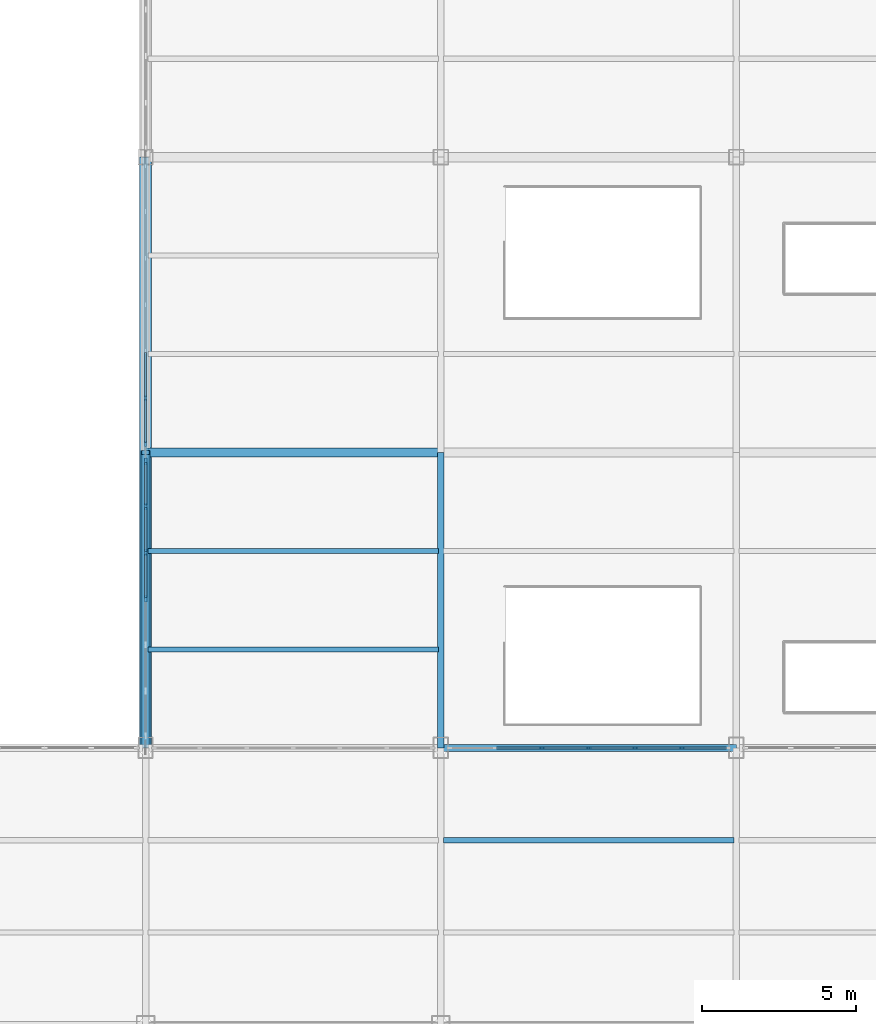
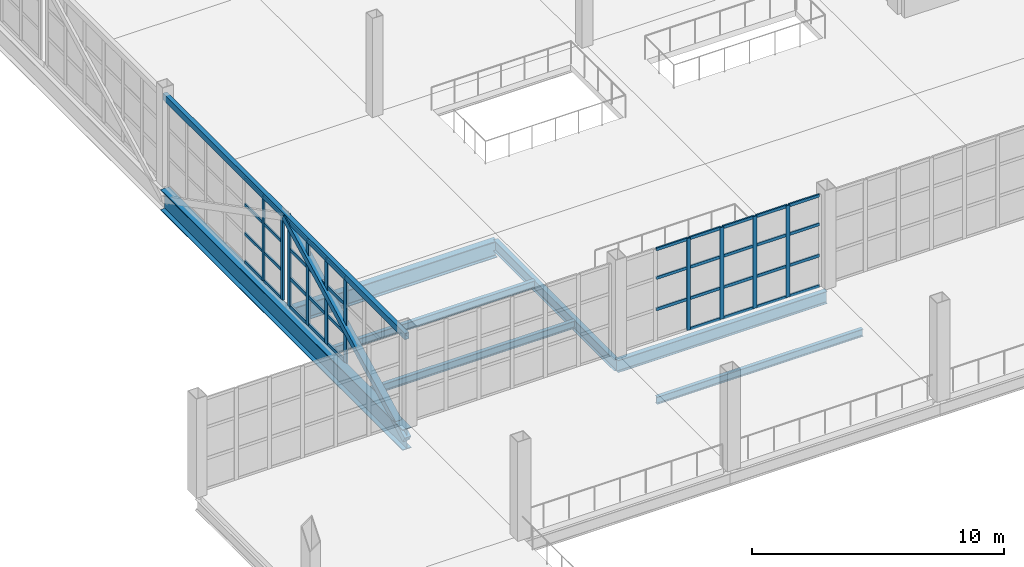
# One storey, part 43 of 120: 51 members, 7 beams, 3 elements without a shape of their own.
"""IFC4 building model written with IfcOpenShell, lengths in metres."""

from ifc_helpers import new_model, si_unit, direction, frame, origin, origin_2d, place, context, subcontext, project, spatial, rectangle, hollow_rectangle, i_section, extrude, material, layer, layer_set, material_profile, profile_set, type_object, element, aggregate, save


model = new_model("IFC4")

# Units and contexts
model_context = context("Model", 3, precision=1e-05, world=origin(), true_north=direction((0.0, 1.0)))
body_context = subcontext(model_context, "Body", "Model", "MODEL_VIEW")
ifc_project = project(units=[si_unit("LENGTHUNIT", "METRE"), si_unit("AREAUNIT", "SQUARE_METRE"), si_unit("VOLUMEUNIT", "CUBIC_METRE"), si_unit("PLANEANGLEUNIT", "RADIAN"), si_unit("MASSUNIT", "GRAM", prefix="KILO")], contexts=[model_context])

# Site, building, storey
site_placement = place(None, origin())
site = spatial("IfcSite", under=ifc_project, at=site_placement, CompositionType="ELEMENT")
building_placement = place(site_placement, origin())
building = spatial("IfcBuilding", under=site, at=building_placement, Name="Zarnetskaya Central Station", CompositionType="ELEMENT")
storey_placement = place(building_placement, frame((0.0, 0.0, 5.39990234375)))
storey = spatial("IfcBuildingStorey", under=building, at=storey_placement, Name="L01", CompositionType="ELEMENT", Elevation=5.39990234375)

# Beams
ifc_material_1 = material(Name="Steel S355", Category="steel")
ifc_material_profile_1 = material_profile(ifc_material_1, i_section(OverallWidth=0.169921875, OverallDepth=0.360107421875, WebThickness=0.008056640625, FlangeThickness=0.0126953125, FilletRadius=0.01806640625, at=origin_2d()), Name="IPE 360")
ifc_profile_set_1 = profile_set([ifc_material_profile_1], Name="Steel S355")
beam_type_1 = type_object("IfcBeamType", Name="BM-SEC-360", PredefinedType="BEAM", material=ifc_profile_set_1)
beam_1_placement = place(storey_placement, frame((76.8798828125, 64.199951171875, -0.4599609375), z_axis=(1.0, 0.0, 0.0), x_axis=(0.0, 1.0, 0.0)))
element("IfcBeam", 1, at=beam_1_placement, inside=storey, type_object=beam_type_1, Name="Secondary floor beam SEC-L01-Z512-JK-89-2", PredefinedType="BEAM", context=body_context, shape_type="SweptSolid", body=[
    extrude(i_section(OverallWidth=0.169921875, OverallDepth=0.360107421875, WebThickness=0.008056640625, FlangeThickness=0.0126953125, FilletRadius=0.01806640625, at=origin_2d()), origin(), (0.0, 0.0, 1.0), 9.440185546875),
])
for number, where, z_axis, x_axis, name in (
    (2, (67.280029296875, 70.39990234375, -0.4599609375), (1.0, 0.0, 0.0), (0.0, 1.0, 0.0), "Secondary floor beam SEC-L01-Z512-HJ-910-1"),
    (3, (67.280029296875, 73.60009765625, -0.4599609375), (1.0, 0.0, 0.0), (0.0, 1.0, 0.0), "Secondary floor beam SEC-L01-Z512-HJ-910-2"),
):
    element("IfcBeam", number, at=place(storey_placement, frame(where, z_axis=z_axis, x_axis=x_axis)), inside=storey, type_object=beam_type_1, Name=name, PredefinedType="BEAM", context=body_context, shape_type="SweptSolid", body=[
        extrude(i_section(OverallWidth=0.169921875, OverallDepth=0.360107421875, WebThickness=0.008056640625, FlangeThickness=0.0126953125, FilletRadius=0.01806640625, at=origin_2d()), origin(), (0.0, 0.0, 1.0), 9.43994140625),
    ])

# Curtain wall, members
ifc_material_2 = material(Name="Low-E insulated glass", Category="glass")
ifc_layer_1 = layer(ifc_material_2, 0.16796875, Name="Low-E insulated glass", Category="glass")
ifc_layer_set_1 = layer_set([ifc_layer_1], Name="Low-E insulated glass")
curtain_wall_type_1 = type_object("IfcCurtainWallType", Name="CW-SYS-13", PredefinedType="USERDEFINED", material=ifc_layer_set_1)
curtain_wall_1_placement = place(storey_placement, origin())
curtain_wall_1 = element("IfcCurtainWall", 4, at=curtain_wall_1_placement, inside=storey, type_object=curtain_wall_type_1, Name="Curtain wall CW-L01-079", ObjectType="CURTAIN WALL", PredefinedType="USERDEFINED")
ifc_material_3 = material(Name="Anodised aluminium", Category="aluminium")
ifc_material_profile_2 = material_profile(ifc_material_3, rectangle(XDim=0.070068359375, YDim=0.179931640625, at=origin_2d()), Name="ALU MULL 70x180")
ifc_profile_set_2 = profile_set([ifc_material_profile_2], Name="Anodised aluminium")
member_type_1 = type_object("IfcMemberType", Name="CW-MULL-180", PredefinedType="MULLION", material=ifc_profile_set_2)
member_1_placement = place(storey_placement, frame((80.083251953125, 67.199951171875, 0.0), z_axis=(0.0, 0.0, 1.0), x_axis=(0.0, 1.0, 0.0)))
member_1 = element("IfcMember", 5, at=member_1_placement, type_object=member_type_1, Name="CW-04 mullion 3", PredefinedType="MULLION", context=body_context, shape_type="SweptSolid", body=[
    extrude(rectangle(XDim=0.070068359375, YDim=0.179931640625, at=origin_2d()), origin(), (0.0, 0.0, 1.0), 4.4501953125),
])
member_2_placement = place(storey_placement, frame((81.60009765625, 67.199951171875, 0.0), z_axis=(0.0, 0.0, 1.0), x_axis=(0.0, 1.0, 0.0)))
member_2 = element("IfcMember", 6, at=member_2_placement, type_object=member_type_1, Name="CW-04 mullion 4", PredefinedType="MULLION", context=body_context, shape_type="SweptSolid", body=[
    extrude(rectangle(XDim=0.070068359375, YDim=0.179931640625, at=origin_2d()), origin(), (0.0, 0.0, 1.0), 4.4501953125),
])
member_3_placement = place(storey_placement, frame((83.11669921875, 67.199951171875, 0.0), z_axis=(0.0, 0.0, 1.0), x_axis=(0.0, 1.0, 0.0)))
member_3 = element("IfcMember", 7, at=member_3_placement, type_object=member_type_1, Name="CW-04 mullion 5", PredefinedType="MULLION", context=body_context, shape_type="SweptSolid", body=[
    extrude(rectangle(XDim=0.070068359375, YDim=0.179931640625, at=origin_2d()), origin(), (0.0, 0.0, 1.0), 4.4501953125),
])
member_4_placement = place(storey_placement, frame((84.63330078125, 67.199951171875, 0.0), z_axis=(0.0, 0.0, 1.0), x_axis=(0.0, 1.0, 0.0)))
member_4 = element("IfcMember", 8, at=member_4_placement, type_object=member_type_1, Name="CW-04 mullion 6", PredefinedType="MULLION", context=body_context, shape_type="SweptSolid", body=[
    extrude(rectangle(XDim=0.070068359375, YDim=0.179931640625, at=origin_2d()), origin(), (0.0, 0.0, 1.0), 4.4501953125),
])

ifc_layer_2 = layer(ifc_material_2, 0.172119140625, Name="Low-E insulated glass", Category="glass")
ifc_layer_set_2 = layer_set([ifc_layer_2], Name="Low-E insulated glass")
curtain_wall_type_2 = type_object("IfcCurtainWallType", Name="CW-SYS-09", PredefinedType="USERDEFINED", material=ifc_layer_set_2)
curtain_wall_2_placement = place(storey_placement, origin())
curtain_wall_2 = element("IfcCurtainWall", 9, at=curtain_wall_2_placement, inside=storey, type_object=curtain_wall_type_2, Name="Curtain wall CW-L01-147", ObjectType="CURTAIN WALL", PredefinedType="USERDEFINED")
member_5_placement = place(storey_placement, frame((67.199951171875, 77.0849609375, 0.0), z_axis=(0.0, 0.0, 1.0), x_axis=(-1.0, 0.0, 0.0)))
member_5 = element("IfcMember", 10, at=member_5_placement, type_object=member_type_1, Name="CW-07 mullion 1", PredefinedType="MULLION", context=body_context, shape_type="SweptSolid", body=[
    extrude(rectangle(XDim=0.070068359375, YDim=0.179931640625, at=origin_2d()), origin(), (0.0, 0.0, 1.0), 4.10009765625),
])
member_6_placement = place(storey_placement, frame((67.199951171875, 78.566650390625, 0.0), z_axis=(0.0, 0.0, 1.0), x_axis=(-1.0, 0.0, 0.0)))
member_6 = element("IfcMember", 11, at=member_6_placement, type_object=member_type_1, Name="CW-07 mullion 2", PredefinedType="MULLION", context=body_context, shape_type="SweptSolid", body=[
    extrude(rectangle(XDim=0.070068359375, YDim=0.179931640625, at=origin_2d()), origin(), (0.0, 0.0, 1.0), 4.10009765625),
])

curtain_wall_3_placement = place(storey_placement, origin())
curtain_wall_3 = element("IfcCurtainWall", 12, at=curtain_wall_3_placement, inside=storey, type_object=curtain_wall_type_2, Name="Curtain wall CW-L01-146", ObjectType="CURTAIN WALL", PredefinedType="USERDEFINED")
ifc_material_profile_3 = material_profile(ifc_material_3, rectangle(XDim=0.080078125, YDim=0.219970703125, at=origin_2d()), Name="ALU MULL 80x220")
ifc_profile_set_3 = profile_set([ifc_material_profile_3], Name="Anodised aluminium")
member_type_2 = type_object("IfcMemberType", Name="CW-MULL-220", PredefinedType="MULLION", material=ifc_profile_set_3)
member_7_placement = place(storey_placement, frame((67.199951171875, 72.050048828125, 0.0), z_axis=(0.0, 0.0, 1.0), x_axis=(-1.0, 0.0, 0.0)))
member_7 = element("IfcMember", 13, at=member_7_placement, type_object=member_type_2, Name="CW-07 mullion 4", PredefinedType="MULLION", context=body_context, shape_type="SweptSolid", body=[
    extrude(rectangle(XDim=0.080078125, YDim=0.219970703125, at=origin_2d()), origin(), (0.0, 0.0, 1.0), 4.10009765625),
])
member_8_placement = place(storey_placement, frame((67.199951171875, 73.550048828125, 0.0), z_axis=(0.0, 0.0, 1.0), x_axis=(-1.0, 0.0, 0.0)))
member_8 = element("IfcMember", 14, at=member_8_placement, type_object=member_type_2, Name="CW-07 mullion 5", PredefinedType="MULLION", context=body_context, shape_type="SweptSolid", body=[
    extrude(rectangle(XDim=0.080078125, YDim=0.219970703125, at=origin_2d()), origin(), (0.0, 0.0, 1.0), 4.10009765625),
])
member_9_placement = place(storey_placement, frame((67.199951171875, 75.050048828125, 0.0), z_axis=(0.0, 0.0, 1.0), x_axis=(-1.0, 0.0, 0.0)))
member_9 = element("IfcMember", 15, at=member_9_placement, type_object=member_type_2, Name="CW-07 mullion 6", PredefinedType="MULLION", context=body_context, shape_type="SweptSolid", body=[
    extrude(rectangle(XDim=0.080078125, YDim=0.219970703125, at=origin_2d()), origin(), (0.0, 0.0, 1.0), 4.10009765625),
])
member_10_placement = place(storey_placement, frame((67.199951171875, 76.510009765625, 0.0), z_axis=(0.0, 0.0, 1.0), x_axis=(-1.0, 0.0, 0.0)))
member_10 = element("IfcMember", 16, at=member_10_placement, type_object=member_type_2, Name="CW-07 mullion 7", PredefinedType="MULLION", context=body_context, shape_type="SweptSolid", body=[
    extrude(rectangle(XDim=0.080078125, YDim=0.219970703125, at=origin_2d()), origin(), (0.0, 0.0, 1.0), 4.10009765625),
])

# Member
ifc_material_profile_4 = material_profile(ifc_material_3, rectangle(XDim=0.070068359375, YDim=0.139892578125, at=origin_2d()), Name="ALU TRAN 70x140")
ifc_profile_set_4 = profile_set([ifc_material_profile_4], Name="Anodised aluminium")
member_type_3 = type_object("IfcMemberType", Name="CW-TRAN-140", PredefinedType="USERDEFINED", material=ifc_profile_set_4)
member_11_placement = place(storey_placement, frame((78.6015625, 67.199951171875, 1.51318359375), z_axis=(1.0, 0.0, 0.0), x_axis=(0.0, 1.0, 0.0)))
member_11 = element("IfcMember", 17, at=member_11_placement, type_object=member_type_3, Name="CW-04 transom 2.2", ObjectType="TRANSOM", PredefinedType="USERDEFINED", context=body_context, shape_type="SweptSolid", body=[
    extrude(rectangle(XDim=0.070068359375, YDim=0.139892578125, at=origin_2d()), origin(), (0.0, 0.0, 1.0), 1.44677734375),
])

member_12_placement = place(storey_placement, frame((78.6015625, 67.199951171875, 3.026123046875), z_axis=(1.0, 0.0, 0.0), x_axis=(0.0, 1.0, 0.0)))
member_12 = element("IfcMember", 18, at=member_12_placement, type_object=member_type_3, Name="CW-04 transom 2.3", ObjectType="TRANSOM", PredefinedType="USERDEFINED", context=body_context, shape_type="SweptSolid", body=[
    extrude(rectangle(XDim=0.070068359375, YDim=0.139892578125, at=origin_2d()), origin(), (0.0, 0.0, 1.0), 1.44677734375),
])

member_13_placement = place(storey_placement, frame((78.6015625, 67.199951171875, 4.4150390625), z_axis=(1.0, 0.0, 0.0), x_axis=(0.0, 1.0, 0.0)))
member_13 = element("IfcMember", 19, at=member_13_placement, type_object=member_type_3, Name="CW-04 transom 2.4", ObjectType="TRANSOM", PredefinedType="USERDEFINED", context=body_context, shape_type="SweptSolid", body=[
    extrude(rectangle(XDim=0.070068359375, YDim=0.139892578125, at=origin_2d()), origin(), (0.0, 0.0, 1.0), 1.44677734375),
])

member_14_placement = place(storey_placement, frame((80.118408203125, 67.199951171875, 0.03515625), z_axis=(1.0, 0.0, 0.0), x_axis=(0.0, 1.0, 0.0)))
member_14 = element("IfcMember", 20, at=member_14_placement, type_object=member_type_3, Name="CW-04 transom 3.1", ObjectType="TRANSOM", PredefinedType="USERDEFINED", context=body_context, shape_type="SweptSolid", body=[
    extrude(rectangle(XDim=0.070068359375, YDim=0.139892578125, at=origin_2d()), origin(), (0.0, 0.0, 1.0), 1.446533203125),
])

member_15_placement = place(storey_placement, frame((80.118408203125, 67.199951171875, 1.51318359375), z_axis=(1.0, 0.0, 0.0), x_axis=(0.0, 1.0, 0.0)))
member_15 = element("IfcMember", 21, at=member_15_placement, type_object=member_type_3, Name="CW-04 transom 3.2", ObjectType="TRANSOM", PredefinedType="USERDEFINED", context=body_context, shape_type="SweptSolid", body=[
    extrude(rectangle(XDim=0.070068359375, YDim=0.139892578125, at=origin_2d()), origin(), (0.0, 0.0, 1.0), 1.446533203125),
])

member_16_placement = place(storey_placement, frame((80.118408203125, 67.199951171875, 3.026123046875), z_axis=(1.0, 0.0, 0.0), x_axis=(0.0, 1.0, 0.0)))
member_16 = element("IfcMember", 22, at=member_16_placement, type_object=member_type_3, Name="CW-04 transom 3.3", ObjectType="TRANSOM", PredefinedType="USERDEFINED", context=body_context, shape_type="SweptSolid", body=[
    extrude(rectangle(XDim=0.070068359375, YDim=0.139892578125, at=origin_2d()), origin(), (0.0, 0.0, 1.0), 1.446533203125),
])

member_17_placement = place(storey_placement, frame((80.118408203125, 67.199951171875, 4.4150390625), z_axis=(1.0, 0.0, 0.0), x_axis=(0.0, 1.0, 0.0)))
member_17 = element("IfcMember", 23, at=member_17_placement, type_object=member_type_3, Name="CW-04 transom 3.4", ObjectType="TRANSOM", PredefinedType="USERDEFINED", context=body_context, shape_type="SweptSolid", body=[
    extrude(rectangle(XDim=0.070068359375, YDim=0.139892578125, at=origin_2d()), origin(), (0.0, 0.0, 1.0), 1.446533203125),
])

member_18_placement = place(storey_placement, frame((81.635009765625, 67.199951171875, 0.03515625), z_axis=(1.0, 0.0, 0.0), x_axis=(0.0, 1.0, 0.0)))
member_18 = element("IfcMember", 24, at=member_18_placement, type_object=member_type_3, Name="CW-04 transom 4.1", ObjectType="TRANSOM", PredefinedType="USERDEFINED", context=body_context, shape_type="SweptSolid", body=[
    extrude(rectangle(XDim=0.070068359375, YDim=0.139892578125, at=origin_2d()), origin(), (0.0, 0.0, 1.0), 1.44677734375),
])

member_19_placement = place(storey_placement, frame((81.635009765625, 67.199951171875, 1.51318359375), z_axis=(1.0, 0.0, 0.0), x_axis=(0.0, 1.0, 0.0)))
member_19 = element("IfcMember", 25, at=member_19_placement, type_object=member_type_3, Name="CW-04 transom 4.2", ObjectType="TRANSOM", PredefinedType="USERDEFINED", context=body_context, shape_type="SweptSolid", body=[
    extrude(rectangle(XDim=0.070068359375, YDim=0.139892578125, at=origin_2d()), origin(), (0.0, 0.0, 1.0), 1.44677734375),
])

member_20_placement = place(storey_placement, frame((81.635009765625, 67.199951171875, 3.026123046875), z_axis=(1.0, 0.0, 0.0), x_axis=(0.0, 1.0, 0.0)))
member_20 = element("IfcMember", 26, at=member_20_placement, type_object=member_type_3, Name="CW-04 transom 4.3", ObjectType="TRANSOM", PredefinedType="USERDEFINED", context=body_context, shape_type="SweptSolid", body=[
    extrude(rectangle(XDim=0.070068359375, YDim=0.139892578125, at=origin_2d()), origin(), (0.0, 0.0, 1.0), 1.44677734375),
])

member_21_placement = place(storey_placement, frame((81.635009765625, 67.199951171875, 4.4150390625), z_axis=(1.0, 0.0, 0.0), x_axis=(0.0, 1.0, 0.0)))
member_21 = element("IfcMember", 27, at=member_21_placement, type_object=member_type_3, Name="CW-04 transom 4.4", ObjectType="TRANSOM", PredefinedType="USERDEFINED", context=body_context, shape_type="SweptSolid", body=[
    extrude(rectangle(XDim=0.070068359375, YDim=0.139892578125, at=origin_2d()), origin(), (0.0, 0.0, 1.0), 1.44677734375),
])

member_22_placement = place(storey_placement, frame((83.151611328125, 67.199951171875, 0.03515625), z_axis=(1.0, 0.0, 0.0), x_axis=(0.0, 1.0, 0.0)))
member_22 = element("IfcMember", 28, at=member_22_placement, type_object=member_type_3, Name="CW-04 transom 5.1", ObjectType="TRANSOM", PredefinedType="USERDEFINED", context=body_context, shape_type="SweptSolid", body=[
    extrude(rectangle(XDim=0.070068359375, YDim=0.139892578125, at=origin_2d()), origin(), (0.0, 0.0, 1.0), 1.44677734375),
])

member_23_placement = place(storey_placement, frame((83.151611328125, 67.199951171875, 1.51318359375), z_axis=(1.0, 0.0, 0.0), x_axis=(0.0, 1.0, 0.0)))
member_23 = element("IfcMember", 29, at=member_23_placement, type_object=member_type_3, Name="CW-04 transom 5.2", ObjectType="TRANSOM", PredefinedType="USERDEFINED", context=body_context, shape_type="SweptSolid", body=[
    extrude(rectangle(XDim=0.070068359375, YDim=0.139892578125, at=origin_2d()), origin(), (0.0, 0.0, 1.0), 1.44677734375),
])

member_24_placement = place(storey_placement, frame((83.151611328125, 67.199951171875, 3.026123046875), z_axis=(1.0, 0.0, 0.0), x_axis=(0.0, 1.0, 0.0)))
member_24 = element("IfcMember", 30, at=member_24_placement, type_object=member_type_3, Name="CW-04 transom 5.3", ObjectType="TRANSOM", PredefinedType="USERDEFINED", context=body_context, shape_type="SweptSolid", body=[
    extrude(rectangle(XDim=0.070068359375, YDim=0.139892578125, at=origin_2d()), origin(), (0.0, 0.0, 1.0), 1.44677734375),
])

member_25_placement = place(storey_placement, frame((83.151611328125, 67.199951171875, 4.4150390625), z_axis=(1.0, 0.0, 0.0), x_axis=(0.0, 1.0, 0.0)))
member_25 = element("IfcMember", 31, at=member_25_placement, type_object=member_type_3, Name="CW-04 transom 5.4", ObjectType="TRANSOM", PredefinedType="USERDEFINED", context=body_context, shape_type="SweptSolid", body=[
    extrude(rectangle(XDim=0.070068359375, YDim=0.139892578125, at=origin_2d()), origin(), (0.0, 0.0, 1.0), 1.44677734375),
])

member_26_placement = place(storey_placement, frame((84.668212890625, 67.199951171875, 0.03515625), z_axis=(1.0, 0.0, 0.0), x_axis=(0.0, 1.0, 0.0)))
member_26 = element("IfcMember", 32, at=member_26_placement, type_object=member_type_3, Name="CW-04 transom 6.1", ObjectType="TRANSOM", PredefinedType="USERDEFINED", context=body_context, shape_type="SweptSolid", body=[
    extrude(rectangle(XDim=0.070068359375, YDim=0.139892578125, at=origin_2d()), origin(), (0.0, 0.0, 1.0), 1.411865234375),
])

member_27_placement = place(storey_placement, frame((84.668212890625, 67.199951171875, 1.51318359375), z_axis=(1.0, 0.0, 0.0), x_axis=(0.0, 1.0, 0.0)))
member_27 = element("IfcMember", 33, at=member_27_placement, type_object=member_type_3, Name="CW-04 transom 6.2", ObjectType="TRANSOM", PredefinedType="USERDEFINED", context=body_context, shape_type="SweptSolid", body=[
    extrude(rectangle(XDim=0.070068359375, YDim=0.139892578125, at=origin_2d()), origin(), (0.0, 0.0, 1.0), 1.411865234375),
])

member_28_placement = place(storey_placement, frame((84.668212890625, 67.199951171875, 3.026123046875), z_axis=(1.0, 0.0, 0.0), x_axis=(0.0, 1.0, 0.0)))
member_28 = element("IfcMember", 34, at=member_28_placement, type_object=member_type_3, Name="CW-04 transom 6.3", ObjectType="TRANSOM", PredefinedType="USERDEFINED", context=body_context, shape_type="SweptSolid", body=[
    extrude(rectangle(XDim=0.070068359375, YDim=0.139892578125, at=origin_2d()), origin(), (0.0, 0.0, 1.0), 1.411865234375),
])

member_29_placement = place(storey_placement, frame((84.668212890625, 67.199951171875, 4.4150390625), z_axis=(1.0, 0.0, 0.0), x_axis=(0.0, 1.0, 0.0)))
member_29 = element("IfcMember", 35, at=member_29_placement, type_object=member_type_3, Name="CW-04 transom 6.4", ObjectType="TRANSOM", PredefinedType="USERDEFINED", context=body_context, shape_type="SweptSolid", body=[
    extrude(rectangle(XDim=0.070068359375, YDim=0.139892578125, at=origin_2d()), origin(), (0.0, 0.0, 1.0), 1.411865234375),
])

aggregate(curtain_wall_1, [member_1, member_2, member_3, member_4, member_11, member_12, member_13, member_14, member_15, member_16, member_17, member_18, member_19, member_20, member_21, member_22, member_23, member_24, member_25, member_26, member_27, member_28, member_29])

member_30_placement = place(storey_placement, frame((67.199951171875, 77.1201171875, 0.03515625), z_axis=(0.0, 1.0, 0.0), x_axis=(-1.0, 0.0, 0.0)))
member_30 = element("IfcMember", 36, at=member_30_placement, type_object=member_type_3, Name="CW-07 transom 1.1", ObjectType="TRANSOM", PredefinedType="USERDEFINED", context=body_context, shape_type="SweptSolid", body=[
    extrude(rectangle(XDim=0.070068359375, YDim=0.139892578125, at=origin_2d()), origin(), (0.0, 0.0, 1.0), 1.41162109375),
])

member_31_placement = place(storey_placement, frame((67.199951171875, 77.1201171875, 1.39404296875), z_axis=(0.0, 1.0, 0.0), x_axis=(-1.0, 0.0, 0.0)))
member_31 = element("IfcMember", 37, at=member_31_placement, type_object=member_type_3, Name="CW-07 transom 1.2", ObjectType="TRANSOM", PredefinedType="USERDEFINED", context=body_context, shape_type="SweptSolid", body=[
    extrude(rectangle(XDim=0.070068359375, YDim=0.139892578125, at=origin_2d()), origin(), (0.0, 0.0, 1.0), 1.41162109375),
])

member_32_placement = place(storey_placement, frame((67.199951171875, 77.1201171875, 2.7880859375), z_axis=(0.0, 1.0, 0.0), x_axis=(-1.0, 0.0, 0.0)))
member_32 = element("IfcMember", 38, at=member_32_placement, type_object=member_type_3, Name="CW-07 transom 1.3", ObjectType="TRANSOM", PredefinedType="USERDEFINED", context=body_context, shape_type="SweptSolid", body=[
    extrude(rectangle(XDim=0.070068359375, YDim=0.139892578125, at=origin_2d()), origin(), (0.0, 0.0, 1.0), 1.41162109375),
])

member_33_placement = place(storey_placement, frame((67.199951171875, 77.1201171875, 4.065185546875), z_axis=(0.0, 1.0, 0.0), x_axis=(-1.0, 0.0, 0.0)))
member_33 = element("IfcMember", 39, at=member_33_placement, type_object=member_type_3, Name="CW-07 transom 1.4", ObjectType="TRANSOM", PredefinedType="USERDEFINED", context=body_context, shape_type="SweptSolid", body=[
    extrude(rectangle(XDim=0.070068359375, YDim=0.139892578125, at=origin_2d()), origin(), (0.0, 0.0, 1.0), 1.41162109375),
])

member_34_placement = place(storey_placement, frame((67.199951171875, 78.6015625, 0.03515625), z_axis=(0.0, 1.0, 0.0), x_axis=(-1.0, 0.0, 0.0)))
member_34 = element("IfcMember", 40, at=member_34_placement, type_object=member_type_3, Name="CW-07 transom 2.1", ObjectType="TRANSOM", PredefinedType="USERDEFINED", context=body_context, shape_type="SweptSolid", body=[
    extrude(rectangle(XDim=0.070068359375, YDim=0.139892578125, at=origin_2d()), origin(), (0.0, 0.0, 1.0), 1.44677734375),
])

member_35_placement = place(storey_placement, frame((67.199951171875, 78.6015625, 1.39404296875), z_axis=(0.0, 1.0, 0.0), x_axis=(-1.0, 0.0, 0.0)))
member_35 = element("IfcMember", 41, at=member_35_placement, type_object=member_type_3, Name="CW-07 transom 2.2", ObjectType="TRANSOM", PredefinedType="USERDEFINED", context=body_context, shape_type="SweptSolid", body=[
    extrude(rectangle(XDim=0.070068359375, YDim=0.139892578125, at=origin_2d()), origin(), (0.0, 0.0, 1.0), 1.44677734375),
])

member_36_placement = place(storey_placement, frame((67.199951171875, 78.6015625, 2.7880859375), z_axis=(0.0, 1.0, 0.0), x_axis=(-1.0, 0.0, 0.0)))
member_36 = element("IfcMember", 42, at=member_36_placement, type_object=member_type_3, Name="CW-07 transom 2.3", ObjectType="TRANSOM", PredefinedType="USERDEFINED", context=body_context, shape_type="SweptSolid", body=[
    extrude(rectangle(XDim=0.070068359375, YDim=0.139892578125, at=origin_2d()), origin(), (0.0, 0.0, 1.0), 1.44677734375),
])

member_37_placement = place(storey_placement, frame((67.199951171875, 78.6015625, 4.065185546875), z_axis=(0.0, 1.0, 0.0), x_axis=(-1.0, 0.0, 0.0)))
member_37 = element("IfcMember", 43, at=member_37_placement, type_object=member_type_3, Name="CW-07 transom 2.4", ObjectType="TRANSOM", PredefinedType="USERDEFINED", context=body_context, shape_type="SweptSolid", body=[
    extrude(rectangle(XDim=0.070068359375, YDim=0.139892578125, at=origin_2d()), origin(), (0.0, 0.0, 1.0), 1.44677734375),
])

aggregate(curtain_wall_2, [member_5, member_6, member_30, member_31, member_32, member_33, member_34, member_35, member_36, member_37])

ifc_material_profile_5 = material_profile(ifc_material_3, rectangle(XDim=0.080078125, YDim=0.159912109375, at=origin_2d()), Name="ALU TRAN 80x160")
ifc_profile_set_5 = profile_set([ifc_material_profile_5], Name="Anodised aluminium")
member_type_4 = type_object("IfcMemberType", Name="CW-TRAN-160", PredefinedType="USERDEFINED", material=ifc_profile_set_5)
member_38_placement = place(storey_placement, frame((67.199951171875, 72.090087890625, 0.0400390625), z_axis=(0.0, 1.0, 0.0), x_axis=(-1.0, 0.0, 0.0)))
member_38 = element("IfcMember", 44, at=member_38_placement, type_object=member_type_4, Name="CW-07 transom 4.1", ObjectType="TRANSOM", PredefinedType="USERDEFINED", context=body_context, shape_type="SweptSolid", body=[
    extrude(rectangle(XDim=0.080078125, YDim=0.159912109375, at=origin_2d()), origin(), (0.0, 0.0, 1.0), 1.419921875),
])

member_39_placement = place(storey_placement, frame((67.199951171875, 72.090087890625, 1.39404296875), z_axis=(0.0, 1.0, 0.0), x_axis=(-1.0, 0.0, 0.0)))
member_39 = element("IfcMember", 45, at=member_39_placement, type_object=member_type_4, Name="CW-07 transom 4.2", ObjectType="TRANSOM", PredefinedType="USERDEFINED", context=body_context, shape_type="SweptSolid", body=[
    extrude(rectangle(XDim=0.080078125, YDim=0.159912109375, at=origin_2d()), origin(), (0.0, 0.0, 1.0), 1.419921875),
])

member_40_placement = place(storey_placement, frame((67.199951171875, 72.090087890625, 2.7880859375), z_axis=(0.0, 1.0, 0.0), x_axis=(-1.0, 0.0, 0.0)))
member_40 = element("IfcMember", 46, at=member_40_placement, type_object=member_type_4, Name="CW-07 transom 4.3", ObjectType="TRANSOM", PredefinedType="USERDEFINED", context=body_context, shape_type="SweptSolid", body=[
    extrude(rectangle(XDim=0.080078125, YDim=0.159912109375, at=origin_2d()), origin(), (0.0, 0.0, 1.0), 1.419921875),
])

member_41_placement = place(storey_placement, frame((67.199951171875, 72.090087890625, 4.06005859375), z_axis=(0.0, 1.0, 0.0), x_axis=(-1.0, 0.0, 0.0)))
member_41 = element("IfcMember", 47, at=member_41_placement, type_object=member_type_4, Name="CW-07 transom 4.4", ObjectType="TRANSOM", PredefinedType="USERDEFINED", context=body_context, shape_type="SweptSolid", body=[
    extrude(rectangle(XDim=0.080078125, YDim=0.159912109375, at=origin_2d()), origin(), (0.0, 0.0, 1.0), 1.419921875),
])

member_42_placement = place(storey_placement, frame((67.199951171875, 73.590087890625, 0.0400390625), z_axis=(0.0, 1.0, 0.0), x_axis=(-1.0, 0.0, 0.0)))
member_42 = element("IfcMember", 48, at=member_42_placement, type_object=member_type_4, Name="CW-07 transom 5.1", ObjectType="TRANSOM", PredefinedType="USERDEFINED", context=body_context, shape_type="SweptSolid", body=[
    extrude(rectangle(XDim=0.080078125, YDim=0.159912109375, at=origin_2d()), origin(), (0.0, 0.0, 1.0), 1.419921875),
])

member_43_placement = place(storey_placement, frame((67.199951171875, 73.590087890625, 1.39404296875), z_axis=(0.0, 1.0, 0.0), x_axis=(-1.0, 0.0, 0.0)))
member_43 = element("IfcMember", 49, at=member_43_placement, type_object=member_type_4, Name="CW-07 transom 5.2", ObjectType="TRANSOM", PredefinedType="USERDEFINED", context=body_context, shape_type="SweptSolid", body=[
    extrude(rectangle(XDim=0.080078125, YDim=0.159912109375, at=origin_2d()), origin(), (0.0, 0.0, 1.0), 1.419921875),
])

member_44_placement = place(storey_placement, frame((67.199951171875, 73.590087890625, 2.7880859375), z_axis=(0.0, 1.0, 0.0), x_axis=(-1.0, 0.0, 0.0)))
member_44 = element("IfcMember", 50, at=member_44_placement, type_object=member_type_4, Name="CW-07 transom 5.3", ObjectType="TRANSOM", PredefinedType="USERDEFINED", context=body_context, shape_type="SweptSolid", body=[
    extrude(rectangle(XDim=0.080078125, YDim=0.159912109375, at=origin_2d()), origin(), (0.0, 0.0, 1.0), 1.419921875),
])

member_45_placement = place(storey_placement, frame((67.199951171875, 73.590087890625, 4.06005859375), z_axis=(0.0, 1.0, 0.0), x_axis=(-1.0, 0.0, 0.0)))
member_45 = element("IfcMember", 51, at=member_45_placement, type_object=member_type_4, Name="CW-07 transom 5.4", ObjectType="TRANSOM", PredefinedType="USERDEFINED", context=body_context, shape_type="SweptSolid", body=[
    extrude(rectangle(XDim=0.080078125, YDim=0.159912109375, at=origin_2d()), origin(), (0.0, 0.0, 1.0), 1.419921875),
])

member_46_placement = place(storey_placement, frame((67.199951171875, 75.090087890625, 0.0400390625), z_axis=(0.0, 1.0, 0.0), x_axis=(-1.0, 0.0, 0.0)))
member_46 = element("IfcMember", 52, at=member_46_placement, type_object=member_type_4, Name="CW-07 transom 6.1", ObjectType="TRANSOM", PredefinedType="USERDEFINED", context=body_context, shape_type="SweptSolid", body=[
    extrude(rectangle(XDim=0.080078125, YDim=0.159912109375, at=origin_2d()), origin(), (0.0, 0.0, 1.0), 1.3798828125),
])

member_47_placement = place(storey_placement, frame((67.199951171875, 75.090087890625, 1.39404296875), z_axis=(0.0, 1.0, 0.0), x_axis=(-1.0, 0.0, 0.0)))
member_47 = element("IfcMember", 53, at=member_47_placement, type_object=member_type_4, Name="CW-07 transom 6.2", ObjectType="TRANSOM", PredefinedType="USERDEFINED", context=body_context, shape_type="SweptSolid", body=[
    extrude(rectangle(XDim=0.080078125, YDim=0.159912109375, at=origin_2d()), origin(), (0.0, 0.0, 1.0), 1.3798828125),
])

member_48_placement = place(storey_placement, frame((67.199951171875, 75.090087890625, 2.7880859375), z_axis=(0.0, 1.0, 0.0), x_axis=(-1.0, 0.0, 0.0)))
member_48 = element("IfcMember", 54, at=member_48_placement, type_object=member_type_4, Name="CW-07 transom 6.3", ObjectType="TRANSOM", PredefinedType="USERDEFINED", context=body_context, shape_type="SweptSolid", body=[
    extrude(rectangle(XDim=0.080078125, YDim=0.159912109375, at=origin_2d()), origin(), (0.0, 0.0, 1.0), 1.3798828125),
])

member_49_placement = place(storey_placement, frame((67.199951171875, 75.090087890625, 4.06005859375), z_axis=(0.0, 1.0, 0.0), x_axis=(-1.0, 0.0, 0.0)))
member_49 = element("IfcMember", 55, at=member_49_placement, type_object=member_type_4, Name="CW-07 transom 6.4", ObjectType="TRANSOM", PredefinedType="USERDEFINED", context=body_context, shape_type="SweptSolid", body=[
    extrude(rectangle(XDim=0.080078125, YDim=0.159912109375, at=origin_2d()), origin(), (0.0, 0.0, 1.0), 1.3798828125),
])

aggregate(curtain_wall_3, [member_7, member_8, member_9, member_10, member_38, member_39, member_40, member_41, member_42, member_43, member_44, member_45, member_46, member_47, member_48, member_49])

# Beams
ifc_material_profile_6 = material_profile(ifc_material_1, i_section(OverallWidth=0.300048828125, OverallDepth=0.800048828125, WebThickness=0.017578125, FlangeThickness=0.032958984375, FilletRadius=0.030029296875, at=origin_2d()), Name="HEB 800")
ifc_profile_set_6 = profile_set([ifc_material_profile_6], Name="Steel S355")
beam_type_2 = type_object("IfcBeamType", Name="GD-BRG-800", PredefinedType="USERDEFINED", material=ifc_profile_set_6)
beam_2_placement = place(storey_placement, frame((67.199951171875, 76.800048828125, -0.679931640625), z_axis=(1.0, 0.0, 0.0), x_axis=(0.0, 1.0, 0.0)))
element("IfcBeam", 56, at=beam_2_placement, inside=storey, type_object=beam_type_2, Name="Grid girder GX-L01-10-HJ", ObjectType="GIRDER", PredefinedType="USERDEFINED", context=body_context, shape_type="SweptSolid", body=[
    extrude(i_section(OverallWidth=0.300048828125, OverallDepth=0.800048828125, WebThickness=0.017578125, FlangeThickness=0.032958984375, FilletRadius=0.030029296875, at=origin_2d()), origin(), (0.0, 0.0, 1.0), 9.60009765625),
])
ifc_material_profile_7 = material_profile(ifc_material_1, i_section(OverallWidth=0.2099609375, OverallDepth=0.550048828125, WebThickness=0.010986328125, FlangeThickness=0.01708984375, FilletRadius=0.02392578125, at=origin_2d()), Name="IPE 550")
ifc_profile_set_7 = profile_set([ifc_material_profile_7], Name="Steel S355")
beam_type_3 = type_object("IfcBeamType", Name="GD-FLR-550", PredefinedType="USERDEFINED", material=ifc_profile_set_7)
beam_3_placement = place(storey_placement, frame((76.800048828125, 67.199951171875, -0.554931640625), z_axis=(0.0, 1.0, 0.0), x_axis=(-1.0, 0.0, 0.0)))
element("IfcBeam", 57, at=beam_3_placement, inside=storey, type_object=beam_type_3, Name="Grid girder GY-L01-J-910", ObjectType="GIRDER", PredefinedType="USERDEFINED", context=body_context, shape_type="SweptSolid", body=[
    extrude(i_section(OverallWidth=0.2099609375, OverallDepth=0.550048828125, WebThickness=0.010986328125, FlangeThickness=0.01708984375, FilletRadius=0.02392578125, at=origin_2d()), origin(), (0.0, 0.0, 1.0), 9.60009765625),
])
ifc_material_profile_8 = material_profile(ifc_material_1, i_section(OverallWidth=0.219970703125, OverallDepth=0.60009765625, WebThickness=0.011962890625, FlangeThickness=0.01904296875, FilletRadius=0.02392578125, at=origin_2d()), Name="IPE 600")
ifc_profile_set_8 = profile_set([ifc_material_profile_8], Name="Steel S355")
beam_type_4 = type_object("IfcBeamType", Name="GD-FLR-600", PredefinedType="USERDEFINED", material=ifc_profile_set_8)
beam_4_placement = place(storey_placement, frame((76.800048828125, 67.199951171875, -0.579833984375), z_axis=(1.0, 0.0, 0.0), x_axis=(0.0, 1.0, 0.0)))
element("IfcBeam", 58, at=beam_4_placement, inside=storey, type_object=beam_type_4, Name="Grid girder GX-L01-9-JK", ObjectType="GIRDER", PredefinedType="USERDEFINED", context=body_context, shape_type="SweptSolid", body=[
    extrude(i_section(OverallWidth=0.219970703125, OverallDepth=0.60009765625, WebThickness=0.011962890625, FlangeThickness=0.01904296875, FilletRadius=0.02392578125, at=origin_2d()), origin(), (0.0, 0.0, 1.0), 9.599853515625),
])
ifc_material_profile_9 = material_profile(ifc_material_1, i_section(OverallWidth=0.39990234375, OverallDepth=1.0, WebThickness=0.02001953125, FlangeThickness=0.031982421875, at=origin_2d()), Name="PG 1000x400x20x32")
ifc_profile_set_9 = profile_set([ifc_material_profile_9], Name="Steel S355")
beam_type_5 = type_object("IfcBeamType", Name="GD-XFER-1000", PredefinedType="USERDEFINED", material=ifc_profile_set_9)
beam_5_placement = place(storey_placement, frame((67.199951171875, 67.199951171875, -0.77978515625), z_axis=(0.0, 1.0, 0.0), x_axis=(-1.0, 0.0, 0.0)))
element("IfcBeam", 59, at=beam_5_placement, inside=storey, type_object=beam_type_5, Name="Transfer truss H 9-11 bottom chord", ObjectType="GIRDER", PredefinedType="USERDEFINED", context=body_context, shape_type="SweptSolid", body=[
    extrude(i_section(OverallWidth=0.39990234375, OverallDepth=1.0, WebThickness=0.02001953125, FlangeThickness=0.031982421875, at=origin_2d()), origin(), (0.0, 0.0, 1.0), 19.199951171875),
])

# Members
ifc_material_profile_10 = material_profile(ifc_material_1, hollow_rectangle(XDim=0.199951171875, YDim=0.300048828125, WallThickness=0.012451171875, at=origin_2d()), Name="RHS 300x200x12.5")
ifc_profile_set_10 = profile_set([ifc_material_profile_10], Name="Steel S355")
member_type_5 = type_object("IfcMemberType", Name="MB-TRUSS-TOP", PredefinedType="CHORD", material=ifc_profile_set_10)
member_50_placement = place(storey_placement, frame((67.199951171875, 67.199951171875, 4.2001953125), z_axis=(0.0, 1.0, 0.0), x_axis=(-1.0, 0.0, 0.0)))
element("IfcMember", 60, at=member_50_placement, inside=storey, type_object=member_type_5, Name="Transfer truss H 9-11 top chord", PredefinedType="CHORD", context=body_context, shape_type="SweptSolid", body=[
    extrude(hollow_rectangle(XDim=0.199951171875, YDim=0.300048828125, WallThickness=0.012451171875, at=origin_2d()), origin(), (0.0, 0.0, 1.0), 19.199951171875),
])
ifc_material_profile_11 = material_profile(ifc_material_1, hollow_rectangle(XDim=0.300048828125, YDim=0.300048828125, WallThickness=0.01611328125, at=origin_2d()), Name="SHS 300x300x16")
ifc_profile_set_11 = profile_set([ifc_material_profile_11], Name="Steel S355")
member_type_6 = type_object("IfcMemberType", Name="MB-XFER-DIAG", PredefinedType="BRACE", material=ifc_profile_set_11)
member_51_placement = place(storey_placement, frame((67.199951171875, 67.199951171875, -0.77978515625), z_axis=(0.0, 0.887673200705, 0.460473982707), x_axis=(-1.0, 0.0, 0.0)))
element("IfcMember", 61, at=member_51_placement, inside=storey, type_object=member_type_6, Name="Transfer truss H 9-11 diagonal 1", PredefinedType="BRACE", context=body_context, shape_type="SweptSolid", body=[
    extrude(hollow_rectangle(XDim=0.300048828125, YDim=0.300048828125, WallThickness=0.01611328125, at=origin_2d()), origin(), (0.0, 0.0, 1.0), 10.81494140625),
])

save(model, "model.ifc")
